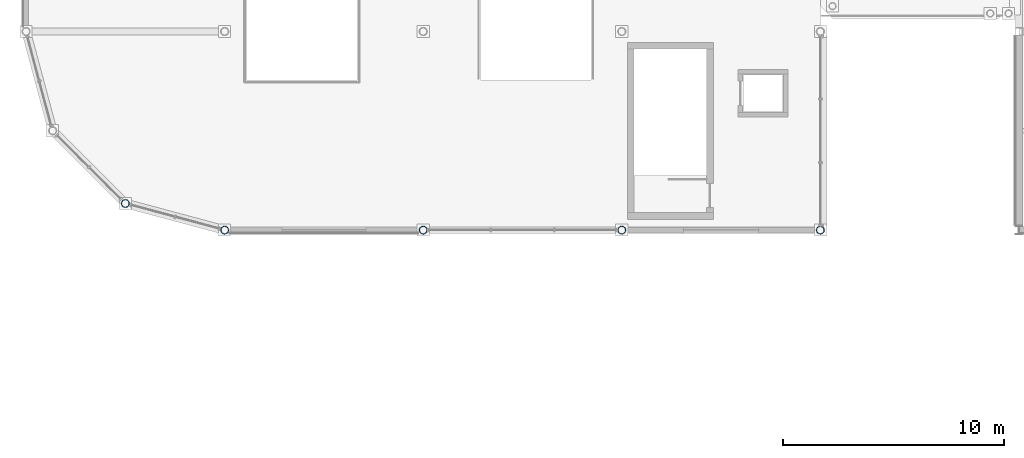
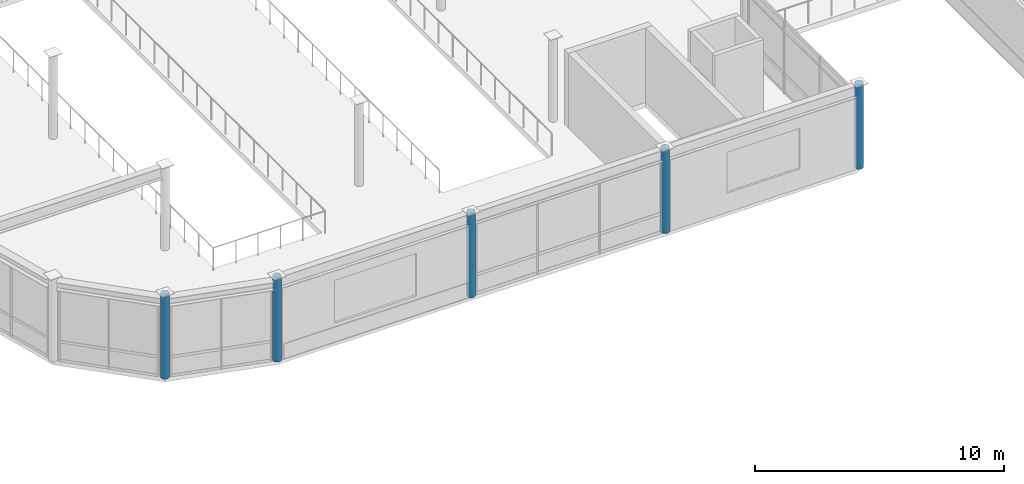
# One storey, part 1 of 53: 5 columns.
"""IFC4 building model written with IfcOpenShell, lengths in metres."""

from ifc_helpers import new_model, si_unit, direction, frame, origin, origin_2d, place, context, subcontext, project, spatial, hollow_circle, extrude, material, material_profile, profile_set, type_object, element, save


model = new_model("IFC4")

# Units and contexts
model_context = context("Model", 3, precision=1e-05, world=origin(), true_north=direction((0.0, 1.0)))
body_context = subcontext(model_context, "Body", "Model", "MODEL_VIEW")
ifc_project = project(units=[si_unit("LENGTHUNIT", "METRE"), si_unit("AREAUNIT", "SQUARE_METRE"), si_unit("VOLUMEUNIT", "CUBIC_METRE"), si_unit("PLANEANGLEUNIT", "RADIAN"), si_unit("MASSUNIT", "GRAM", prefix="KILO")], contexts=[model_context])

# Site, building, storey
site_placement = place(None, origin())
site = spatial("IfcSite", under=ifc_project, at=site_placement, CompositionType="ELEMENT")
building_placement = place(site_placement, origin())
building = spatial("IfcBuilding", under=site, at=building_placement, Name="Suzunagisa Mobility Hub", CompositionType="ELEMENT")
storey_placement = place(building_placement, frame((0.0, 0.0, 17.699951171875)))
storey = spatial("IfcBuildingStorey", under=building, at=storey_placement, Name="L04", CompositionType="ELEMENT", Elevation=17.699951171875)

# Columns
ifc_material = material(Name="Steel SN490B", Category="steel")
ifc_material_profile = material_profile(ifc_material, hollow_circle(Radius=0.177734375, WallThickness=0.0126953125, at=origin_2d()), Name="CHS-355.6x12.7")
ifc_profile_set = profile_set([ifc_material_profile], Name="Steel SN490B")
column_type = type_object("IfcColumnType", Name="Steel Column CL-18 CHS-355.6x12.7", PredefinedType="COLUMN", material=ifc_profile_set)
for number, where, z_axis, x_axis, name in (
    (1, (4.5, 81.205810546875, 0.0), (0.0, 0.0, 1.0), (1.0, 0.0, 0.0), "L04 Column 18"),
    (2, (9.0, 80.0, 0.0), (0.0, 0.0, 1.0), (1.0, 0.0, 0.0), "L04 Column 28"),
    (3, (18.0, 80.0, 0.0), (0.0, 0.0, 1.0), (1.0, 0.0, 0.0), "L04 Column 50"),
    (4, (27.0, 80.0, 0.0), (0.0, 0.0, 1.0), (1.0, 0.0, 0.0), "L04 Column 70"),
    (5, (36.0, 80.0, 0.0), (0.0, 0.0, 1.0), (1.0, 0.0, 0.0), "L04 Column 85"),
):
    element("IfcColumn", number, at=place(storey_placement, frame(where, z_axis=z_axis, x_axis=x_axis)), inside=storey, type_object=column_type, Name=name, PredefinedType="COLUMN", context=body_context, shape_type="SweptSolid", body=[
        extrude(hollow_circle(Radius=0.177734375, WallThickness=0.0126953125, at=origin_2d()), origin(), (0.0, 0.0, 1.0), 4.14013671875),
    ])

save(model, "model.ifc")
